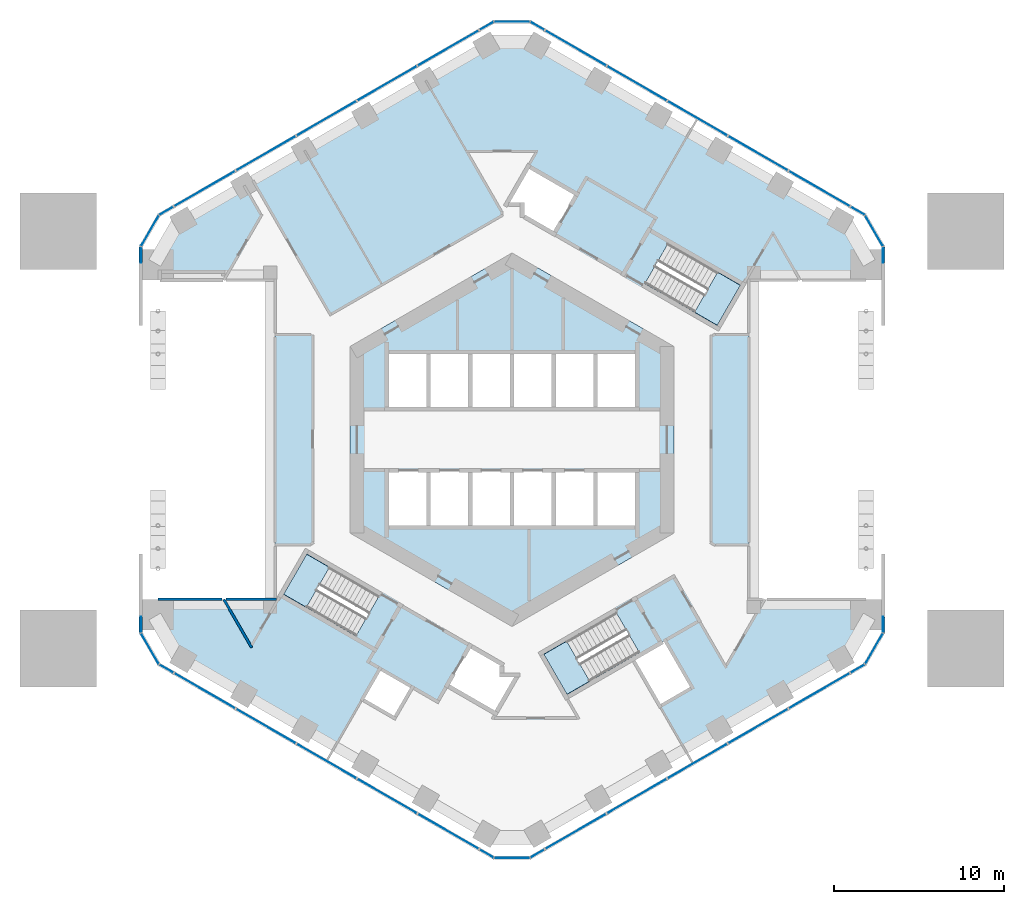
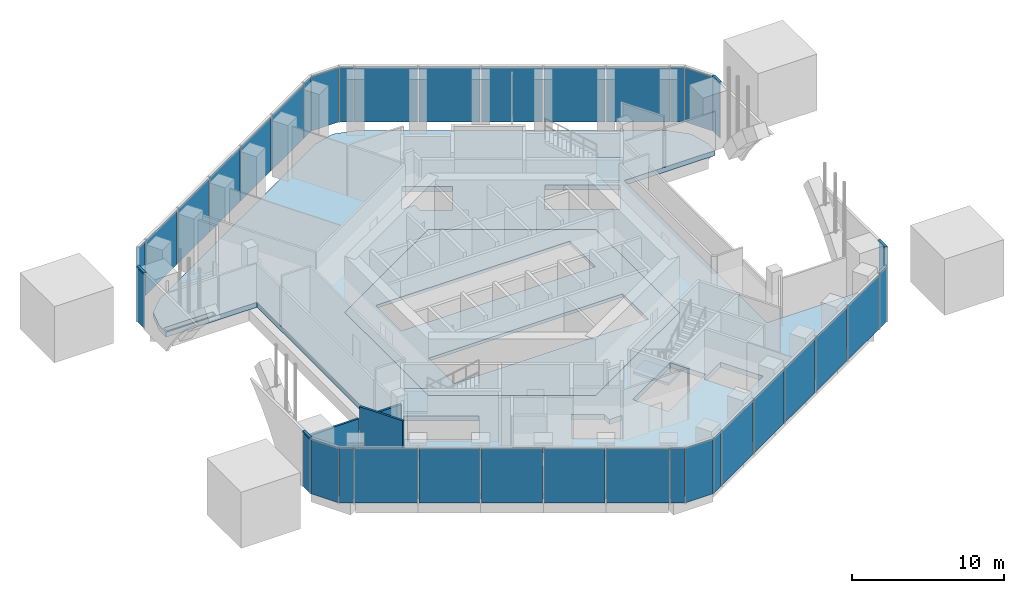
# One storey, part 8 of 14: 38 plates, 5 slabs, 4 members, 3 walls, 13 elements without a shape of their own.
"""IFC4 building model written with IfcOpenShell, lengths in metres."""

from ifc_helpers import new_model, si_unit, direction, frame, frame_2d, origin, origin_2d, place, context, subcontext, project, spatial, polyline, rectangle, outline, extrude, material, layer, layer_set, material_profile, profile_set, type_object, element, aggregate, save


model = new_model("IFC4")

# Units and contexts
model_context = context("Model", 3, precision=1e-05, world=origin(), true_north=direction((0.0, 1.0)))
body_context = subcontext(model_context, "Body", "Model", "MODEL_VIEW")
ifc_project = project(units=[si_unit("LENGTHUNIT", "METRE"), si_unit("AREAUNIT", "SQUARE_METRE"), si_unit("VOLUMEUNIT", "CUBIC_METRE"), si_unit("PLANEANGLEUNIT", "RADIAN"), si_unit("MASSUNIT", "GRAM", prefix="KILO")], contexts=[model_context])

# Site, building, storey
site_placement = place(None, origin())
site = spatial("IfcSite", under=ifc_project, at=site_placement, CompositionType="ELEMENT")
building_placement = place(site_placement, origin())
building = spatial("IfcBuilding", under=site, at=building_placement, Name="Ayvan Gate Tower", CompositionType="ELEMENT")
storey_placement = place(building_placement, frame((0.0, 0.0, 11.5)))
storey = spatial("IfcBuildingStorey", under=building, at=storey_placement, Name="L02", CompositionType="ELEMENT", Elevation=11.5)

# Curtain wall, member
ifc_material_1 = material(Name="Bronze anodised aluminium", Category="aluminium")
ifc_layer_1 = layer(ifc_material_1, 0.199951171875)
ifc_layer_set_1 = layer_set([ifc_layer_1], Name="Bronze anodised aluminium")
curtain_wall_type_1 = type_object("IfcCurtainWallType", Name="Stick curtain wall CW-6", PredefinedType="NOTDEFINED", material=ifc_layer_set_1)
curtain_wall_1_placement = place(storey_placement, origin())
curtain_wall_1 = element("IfcCurtainWall", 1, at=curtain_wall_1_placement, inside=storey, type_object=curtain_wall_type_1, Name="Stick curtain wall CW-6 L02", PredefinedType="NOTDEFINED")
ifc_material_profile = material_profile(ifc_material_1, rectangle(XDim=0.199951171875, YDim=0.1201171875, at=origin_2d()), Name="Stick curtain wall CW-6 transom 200 x 120")
ifc_profile_set = profile_set([ifc_material_profile], Name="Bronze anodised aluminium")
member_type = type_object("IfcMemberType", Name="Stick curtain wall CW-6 transom 200 x 120", PredefinedType="USERDEFINED", material=ifc_profile_set)
member_1_placement = place(storey_placement, frame((-21.78466796875, 11.32470703125, 4.43994140625), z_axis=(0.0, -1.0, 0.0), x_axis=(1.0, 0.0, 0.0)))
member_1 = element("IfcMember", 2, at=member_1_placement, type_object=member_type, Name="CW-6 transom 3", ObjectType="TRANSOM", PredefinedType="USERDEFINED", context=body_context, shape_type="SweptSolid", body=[
    extrude(rectangle(XDim=0.199951171875, YDim=0.1201171875, at=origin_2d()), origin(), (0.0, 0.0, 1.0), 0.925048828125),
])

curtain_wall_2_placement = place(storey_placement, origin())
curtain_wall_2 = element("IfcCurtainWall", 3, at=curtain_wall_2_placement, inside=storey, type_object=curtain_wall_type_1, Name="Stick curtain wall CW-6 L02", PredefinedType="NOTDEFINED")
member_2_placement = place(storey_placement, frame((-21.78466796875, -10.399658203125, 4.43994140625), z_axis=(0.0, -1.0, 0.0), x_axis=(1.0, 0.0, 0.0)))
member_2 = element("IfcMember", 4, at=member_2_placement, type_object=member_type, Name="CW-6 transom 1", ObjectType="TRANSOM", PredefinedType="USERDEFINED", context=body_context, shape_type="SweptSolid", body=[
    extrude(rectangle(XDim=0.199951171875, YDim=0.1201171875, at=origin_2d()), origin(), (0.0, 0.0, 1.0), 0.925048828125),
])

curtain_wall_3_placement = place(storey_placement, origin())
curtain_wall_3 = element("IfcCurtainWall", 5, at=curtain_wall_3_placement, inside=storey, type_object=curtain_wall_type_1, Name="Stick curtain wall CW-6 L02", PredefinedType="NOTDEFINED")
member_3_placement = place(storey_placement, frame((21.78466796875, -11.32470703125, 4.43994140625), z_axis=(0.0, 1.0, 0.0), x_axis=(-1.0, 0.0, 0.0)))
member_3 = element("IfcMember", 6, at=member_3_placement, type_object=member_type, Name="CW-6 transom 3", ObjectType="TRANSOM", PredefinedType="USERDEFINED", context=body_context, shape_type="SweptSolid", body=[
    extrude(rectangle(XDim=0.199951171875, YDim=0.1201171875, at=origin_2d()), origin(), (0.0, 0.0, 1.0), 0.925048828125),
])

curtain_wall_4_placement = place(storey_placement, origin())
curtain_wall_4 = element("IfcCurtainWall", 7, at=curtain_wall_4_placement, inside=storey, type_object=curtain_wall_type_1, Name="Stick curtain wall CW-6 L02", PredefinedType="NOTDEFINED")
member_4_placement = place(storey_placement, frame((21.78466796875, 10.399658203125, 4.43994140625), z_axis=(0.0, 1.0, 0.0), x_axis=(-1.0, 0.0, 0.0)))
member_4 = element("IfcMember", 8, at=member_4_placement, type_object=member_type, Name="CW-6 transom 1", ObjectType="TRANSOM", PredefinedType="USERDEFINED", context=body_context, shape_type="SweptSolid", body=[
    extrude(rectangle(XDim=0.199951171875, YDim=0.1201171875, at=origin_2d()), origin(), (0.0, 0.0, 1.0), 0.925048828125),
])

# Slabs
ifc_material_2 = material(Name="Concrete C40/50", Category="concrete")
ifc_layer_2 = layer(ifc_material_2, 0.39990234375)
ifc_layer_set_2 = layer_set([ifc_layer_2], Name="Concrete C40/50")
slab_type_1 = type_object("IfcSlabType", Name="Post-tensioned flat slab 400", PredefinedType="FLOOR", material=ifc_layer_set_2)
slab_1_placement = place(storey_placement, frame((0.0, 0.0, -0.39990234375)))
element("IfcSlab", 9, at=slab_1_placement, inside=storey, type_object=slab_type_1, Name="SL-L02", PredefinedType="FLOOR", context=body_context, shape_type="SweptSolid", body=[
    extrude(outline(polyline([(0.0, -23.535888671875), (-1.5, -23.134033203125), (-19.28466796875, -12.865966796875), (-20.382568359375, -11.76806640625), (-20.78466796875, -10.26806640625), (-20.78466796875, 0.0), (-20.78466796875, -9.367919921875), (-13.89990234375, -9.367919921875), (-13.89990234375, 9.367919921875), (-20.78466796875, 9.367919921875), (-20.78466796875, 10.26806640625), (-20.382568359375, 11.76806640625), (-19.28466796875, 12.865966796875), (-1.5, 23.134033203125), (0.0, 23.535888671875), (1.5, 23.134033203125), (19.28466796875, 12.865966796875), (20.382568359375, 11.76806640625), (20.78466796875, 10.26806640625), (20.78466796875, 9.367919921875), (13.89990234375, 9.367919921875), (13.89990234375, -9.367919921875), (20.78466796875, -9.367919921875), (20.78466796875, -10.26806640625), (20.382568359375, -11.76806640625), (19.28466796875, -12.865966796875), (1.5, -23.134033203125), (0.0, -23.535888671875)]), holes=[polyline([(7.80615234375, 9.170654296875), (12.049560546875, 6.720458984375), (13.404541015625, 9.0673828125), (9.1611328125, 11.517578125), (7.80615234375, 9.170654296875)]), polyline([(8.995361328125, -11.780517578125), (8.735595703125, -11.9306640625), (7.090087890625, -12.880615234375), (8.690185546875, -15.65185546875), (10.595458984375, -14.5517578125), (8.995361328125, -11.780517578125)]), polyline([(9.5, -5.48486328125), (9.5, 5.48486328125), (0.0, 10.9697265625), (-9.5, 5.48486328125), (-9.5, -5.48486328125), (0.0, -10.9697265625), (9.5, -5.48486328125)]), polyline([(6.117431640625, -10.1455078125), (1.873779296875, -12.595458984375), (3.228759765625, -14.9423828125), (7.472412109375, -12.492431640625), (6.117431640625, -10.1455078125)]), polyline([(0.964599609375, 16.07080078125), (-0.340576171875, 13.81005859375), (0.60009765625, 13.81005859375), (0.60009765625, 13.16357421875), (2.472412109375, 12.08251953125), (3.822509765625, 14.420654296875), (0.964599609375, 16.07080078125)]), polyline([(-0.60009765625, -13.16357421875), (-2.472412109375, -12.08251953125), (-3.822509765625, -14.420654296875), (-0.964599609375, -16.07080078125), (0.340576171875, -13.81005859375), (-0.60009765625, -13.81005859375), (-0.60009765625, -13.16357421875)]), polyline([(-6.894775390625, -16.342041015625), (-5.8447265625, -14.5234375), (-7.75, -13.42333984375), (-8.800048828125, -15.241943359375), (-6.894775390625, -16.342041015625)]), polyline([(-13.404541015625, -9.0673828125), (-9.1611328125, -11.517578125), (-7.80615234375, -9.170654296875), (-12.049560546875, -6.720458984375), (-13.404541015625, -9.0673828125)]), polyline([(-20.6845703125, 9.468017578125), (-16.948486328125, 9.468017578125), (-16.948486328125, 9.867919921875), (-20.6845703125, 9.867919921875), (-20.6845703125, 9.468017578125)])]), origin(), (0.0, 0.0, 1.0), 0.39990234375),
])
ifc_layer_3 = layer(ifc_material_2, 0.25)
ifc_layer_set_3 = layer_set([ifc_layer_3], Name="Concrete C40/50")
slab_type_2 = type_object("IfcSlabType", Name="SL-CORE-250", PredefinedType="FLOOR", material=ifc_layer_set_3)
slab_2_placement = place(storey_placement, frame((0.0, 0.0, -0.25)))
element("IfcSlab", 10, at=slab_2_placement, inside=storey, type_object=slab_type_2, Name="CS-L02", PredefinedType="FLOOR", context=body_context, shape_type="SweptSolid", body=[
    extrude(outline(polyline([(9.5, -5.48486328125), (0.0, -10.9697265625), (-9.5, -5.48486328125), (-9.5, 5.48486328125), (0.0, 10.9697265625), (9.5, 5.48486328125), (9.5, -5.48486328125)]), holes=[polyline([(-7.35009765625, -1.800048828125), (-7.35009765625, -5.14990234375), (7.35009765625, -5.14990234375), (7.35009765625, -1.800048828125), (-7.35009765625, -1.800048828125)]), polyline([(-7.35009765625, 5.14990234375), (-7.35009765625, 1.800048828125), (7.35009765625, 1.800048828125), (7.35009765625, 5.14990234375), (-7.35009765625, 5.14990234375)])]), origin(), (0.0, 0.0, 1.0), 0.25),
])

# Stair, slab
stair_type = type_object("IfcStairType", Name="ST-EXIT", PredefinedType="HALF_TURN_STAIR", material=ifc_material_2)
stair_1_placement = place(storey_placement, origin())
stair_1 = element("IfcStair", 11, at=stair_1_placement, inside=storey, type_object=stair_type, Name="L02 Exit Stair S1", PredefinedType="HALF_TURN_STAIR")
ifc_layer_4 = layer(ifc_material_2, 0.199951171875)
ifc_layer_set_4 = layer_set([ifc_layer_4], Name="Concrete C40/50")
slab_type_3 = type_object("IfcSlabType", Name="SL-LANDING-200", PredefinedType="LANDING", material=ifc_layer_set_4)
slab_3_placement = place(storey_placement, frame((0.0, 0.0, 2.050048828125)))
slab_3 = element("IfcSlab", 12, at=slab_3_placement, type_object=slab_type_3, Name="STS1 landing 1", PredefinedType="LANDING", context=body_context, shape_type="SweptSolid", body=[
    extrude(outline(polyline([(10.716064453125, 7.490478515625), (12.049560546875, 6.720458984375), (13.404541015625, 9.0673828125), (12.071044921875, 9.83740234375), (10.716064453125, 7.490478515625)])), origin(), (0.0, 0.0, 1.0), 0.199951171875),
])
aggregate(stair_1, [slab_3])

stair_2_placement = place(storey_placement, origin())
stair_2 = element("IfcStair", 13, at=stair_2_placement, inside=storey, type_object=stair_type, Name="L02 Exit Stair S2", PredefinedType="HALF_TURN_STAIR")
slab_4_placement = place(storey_placement, frame((0.0, 0.0, 2.050048828125)))
slab_4 = element("IfcSlab", 14, at=slab_4_placement, type_object=slab_type_3, Name="STS2 landing 1", PredefinedType="LANDING", context=body_context, shape_type="SweptSolid", body=[
    extrude(outline(polyline([(-10.716064453125, -7.490478515625), (-12.049560546875, -6.720458984375), (-13.404541015625, -9.0673828125), (-12.071044921875, -9.83740234375), (-10.716064453125, -7.490478515625)])), origin(), (0.0, 0.0, 1.0), 0.199951171875),
])
aggregate(stair_2, [slab_4])

stair_3_placement = place(storey_placement, origin())
stair_3 = element("IfcStair", 15, at=stair_3_placement, inside=storey, type_object=stair_type, Name="L02 Exit Stair S3", PredefinedType="HALF_TURN_STAIR")
slab_5_placement = place(storey_placement, frame((0.0, 0.0, 2.050048828125)))
slab_5 = element("IfcSlab", 16, at=slab_5_placement, type_object=slab_type_3, Name="STS3 landing 1", PredefinedType="LANDING", context=body_context, shape_type="SweptSolid", body=[
    extrude(outline(polyline([(3.20751953125, -11.82568359375), (1.873779296875, -12.595458984375), (3.228759765625, -14.9423828125), (4.5625, -14.172607421875), (3.20751953125, -11.82568359375)])), origin(), (0.0, 0.0, 1.0), 0.199951171875),
])
aggregate(stair_3, [slab_5])

# Curtain wall, plates
ifc_layer_5 = layer(ifc_material_1, 0.199951171875)
ifc_layer_set_5 = layer_set([ifc_layer_5], Name="Bronze anodised aluminium")
curtain_wall_type_2 = type_object("IfcCurtainWallType", Name="Stick curtain wall CW-3", PredefinedType="NOTDEFINED", material=ifc_layer_set_5)
curtain_wall_5_placement = place(storey_placement, origin())
curtain_wall_5 = element("IfcCurtainWall", 17, at=curtain_wall_5_placement, inside=storey, type_object=curtain_wall_type_2, Name="Stick curtain wall CW-3 L02", PredefinedType="NOTDEFINED")
ifc_material_3 = material(Name="Clear low-iron laminated glass", Category="glass")
ifc_layer_6 = layer(ifc_material_3, 0.028076171875)
ifc_layer_set_6 = layer_set([ifc_layer_6], Name="Clear low-iron laminated glass")
plate_type_1 = type_object("IfcPlateType", Name="Stick curtain wall CW-3 glass panel", PredefinedType="CURTAIN_PANEL", material=ifc_layer_set_6)
plate_1_placement = place(storey_placement, frame((-3.721435546875, 23.006103515625, 0.0), z_axis=(0.0, 0.0, 1.0), x_axis=(-0.866025403784, -0.5, 0.0)))
plate_1 = element("IfcPlate", 18, at=plate_1_placement, type_object=plate_type_1, Name="CW-3 glass panel 1", PredefinedType="CURTAIN_PANEL", context=body_context, shape_type="SweptSolid", body=[
    extrude(rectangle(XDim=4.138916015625, YDim=0.028076171875, at=origin_2d()), origin(), (0.0, 0.0, 1.0), 4.340087890625),
])
plate_2_placement = place(storey_placement, frame((-7.33544921875, 20.919677734375, 0.0), z_axis=(0.0, 0.0, 1.0), x_axis=(-0.866025403784, -0.5, 0.0)))
plate_2 = element("IfcPlate", 19, at=plate_2_placement, type_object=plate_type_1, Name="CW-3 glass panel 2", PredefinedType="CURTAIN_PANEL", context=body_context, shape_type="SweptSolid", body=[
    extrude(rectangle(XDim=4.007080078125, YDim=0.028076171875, at=origin_2d()), origin(), (0.0, 0.0, 1.0), 4.340087890625),
])
plate_3_placement = place(storey_placement, frame((-10.892333984375, 18.865966796875, 0.0), z_axis=(0.0, 0.0, 1.0), x_axis=(-0.866025403784, -0.5, 0.0)))
plate_3 = element("IfcPlate", 20, at=plate_3_placement, type_object=plate_type_1, Name="CW-3 glass panel 3", PredefinedType="CURTAIN_PANEL", context=body_context, shape_type="SweptSolid", body=[
    extrude(rectangle(XDim=4.007080078125, YDim=0.028076171875, at=origin_2d()), origin(), (0.0, 0.0, 1.0), 4.340087890625),
])
plate_4_placement = place(storey_placement, frame((-14.448974609375, 16.8125, 0.0), z_axis=(0.0, 0.0, 1.0), x_axis=(-0.866025403784, -0.5, 0.0)))
plate_4 = element("IfcPlate", 21, at=plate_4_placement, type_object=plate_type_1, Name="CW-3 glass panel 4", PredefinedType="CURTAIN_PANEL", context=body_context, shape_type="SweptSolid", body=[
    extrude(rectangle(XDim=4.007080078125, YDim=0.028076171875, at=origin_2d()), origin(), (0.0, 0.0, 1.0), 4.340087890625),
])
plate_5_placement = place(storey_placement, frame((-18.06298828125, 14.72607421875, 0.0), z_axis=(0.0, 0.0, 1.0), x_axis=(-0.866025403784, -0.5, 0.0)))
plate_5 = element("IfcPlate", 22, at=plate_5_placement, type_object=plate_type_1, Name="CW-3 glass panel 5", PredefinedType="CURTAIN_PANEL", context=body_context, shape_type="SweptSolid", body=[
    extrude(rectangle(XDim=4.13916015625, YDim=0.028076171875, at=origin_2d()), origin(), (0.0, 0.0, 1.0), 4.340087890625),
])
aggregate(curtain_wall_5, [plate_1, plate_2, plate_3, plate_4, plate_5])

curtain_wall_6_placement = place(storey_placement, origin())
curtain_wall_6 = element("IfcCurtainWall", 23, at=curtain_wall_6_placement, inside=storey, type_object=curtain_wall_type_2, Name="Stick curtain wall CW-3 L02", PredefinedType="NOTDEFINED")
plate_6_placement = place(storey_placement, frame((-18.06298828125, -14.72607421875, 0.0), z_axis=(0.0, 0.0, 1.0), x_axis=(0.866025403784, -0.5, 0.0)))
plate_6 = element("IfcPlate", 24, at=plate_6_placement, type_object=plate_type_1, Name="CW-3 glass panel 1", PredefinedType="CURTAIN_PANEL", context=body_context, shape_type="SweptSolid", body=[
    extrude(rectangle(XDim=4.138916015625, YDim=0.028076171875, at=origin_2d()), origin(), (0.0, 0.0, 1.0), 4.340087890625),
])
plate_7_placement = place(storey_placement, frame((-14.44921875, -16.8125, 0.0), z_axis=(0.0, 0.0, 1.0), x_axis=(0.866025403784, -0.5, 0.0)))
plate_7 = element("IfcPlate", 25, at=plate_7_placement, type_object=plate_type_1, Name="CW-3 glass panel 2", PredefinedType="CURTAIN_PANEL", context=body_context, shape_type="SweptSolid", body=[
    extrude(rectangle(XDim=4.007080078125, YDim=0.028076171875, at=origin_2d()), origin(), (0.0, 0.0, 1.0), 4.340087890625),
])
plate_8_placement = place(storey_placement, frame((-10.892333984375, -18.865966796875, 0.0), z_axis=(0.0, 0.0, 1.0), x_axis=(0.866025403784, -0.5, 0.0)))
plate_8 = element("IfcPlate", 26, at=plate_8_placement, type_object=plate_type_1, Name="CW-3 glass panel 3", PredefinedType="CURTAIN_PANEL", context=body_context, shape_type="SweptSolid", body=[
    extrude(rectangle(XDim=4.007080078125, YDim=0.028076171875, at=origin_2d()), origin(), (0.0, 0.0, 1.0), 4.340087890625),
])
plate_9_placement = place(storey_placement, frame((-7.335693359375, -20.91943359375, 0.0), z_axis=(0.0, 0.0, 1.0), x_axis=(0.866025403784, -0.5, 0.0)))
plate_9 = element("IfcPlate", 27, at=plate_9_placement, type_object=plate_type_1, Name="CW-3 glass panel 4", PredefinedType="CURTAIN_PANEL", context=body_context, shape_type="SweptSolid", body=[
    extrude(rectangle(XDim=4.007080078125, YDim=0.028076171875, at=origin_2d()), origin(), (0.0, 0.0, 1.0), 4.340087890625),
])
plate_10_placement = place(storey_placement, frame((-3.7216796875, -23.006103515625, 0.0), z_axis=(0.0, 0.0, 1.0), x_axis=(0.866025403784, -0.5, 0.0)))
plate_10 = element("IfcPlate", 28, at=plate_10_placement, type_object=plate_type_1, Name="CW-3 glass panel 5", PredefinedType="CURTAIN_PANEL", context=body_context, shape_type="SweptSolid", body=[
    extrude(rectangle(XDim=4.13916015625, YDim=0.028076171875, at=origin_2d()), origin(), (0.0, 0.0, 1.0), 4.340087890625),
])
aggregate(curtain_wall_6, [plate_6, plate_7, plate_8, plate_9, plate_10])

curtain_wall_7_placement = place(storey_placement, origin())
curtain_wall_7 = element("IfcCurtainWall", 29, at=curtain_wall_7_placement, inside=storey, type_object=curtain_wall_type_2, Name="Stick curtain wall CW-3 L02", PredefinedType="NOTDEFINED")
plate_11_placement = place(storey_placement, frame((3.721435546875, -23.006103515625, 0.0), z_axis=(0.0, 0.0, 1.0), x_axis=(0.866025403784, 0.5, 0.0)))
plate_11 = element("IfcPlate", 30, at=plate_11_placement, type_object=plate_type_1, Name="CW-3 glass panel 1", PredefinedType="CURTAIN_PANEL", context=body_context, shape_type="SweptSolid", body=[
    extrude(rectangle(XDim=4.138916015625, YDim=0.028076171875, at=origin_2d()), origin(), (0.0, 0.0, 1.0), 4.340087890625),
])
plate_12_placement = place(storey_placement, frame((7.33544921875, -20.919677734375, 0.0), z_axis=(0.0, 0.0, 1.0), x_axis=(0.866025403784, 0.5, 0.0)))
plate_12 = element("IfcPlate", 31, at=plate_12_placement, type_object=plate_type_1, Name="CW-3 glass panel 2", PredefinedType="CURTAIN_PANEL", context=body_context, shape_type="SweptSolid", body=[
    extrude(rectangle(XDim=4.007080078125, YDim=0.028076171875, at=origin_2d()), origin(), (0.0, 0.0, 1.0), 4.340087890625),
])
plate_13_placement = place(storey_placement, frame((10.892333984375, -18.865966796875, 0.0), z_axis=(0.0, 0.0, 1.0), x_axis=(0.866025403784, 0.5, 0.0)))
plate_13 = element("IfcPlate", 32, at=plate_13_placement, type_object=plate_type_1, Name="CW-3 glass panel 3", PredefinedType="CURTAIN_PANEL", context=body_context, shape_type="SweptSolid", body=[
    extrude(rectangle(XDim=4.007080078125, YDim=0.028076171875, at=origin_2d()), origin(), (0.0, 0.0, 1.0), 4.340087890625),
])
plate_14_placement = place(storey_placement, frame((14.448974609375, -16.8125, 0.0), z_axis=(0.0, 0.0, 1.0), x_axis=(0.866025403784, 0.5, 0.0)))
plate_14 = element("IfcPlate", 33, at=plate_14_placement, type_object=plate_type_1, Name="CW-3 glass panel 4", PredefinedType="CURTAIN_PANEL", context=body_context, shape_type="SweptSolid", body=[
    extrude(rectangle(XDim=4.007080078125, YDim=0.028076171875, at=origin_2d()), origin(), (0.0, 0.0, 1.0), 4.340087890625),
])
plate_15_placement = place(storey_placement, frame((18.06298828125, -14.72607421875, 0.0), z_axis=(0.0, 0.0, 1.0), x_axis=(0.866025403784, 0.5, 0.0)))
plate_15 = element("IfcPlate", 34, at=plate_15_placement, type_object=plate_type_1, Name="CW-3 glass panel 5", PredefinedType="CURTAIN_PANEL", context=body_context, shape_type="SweptSolid", body=[
    extrude(rectangle(XDim=4.13916015625, YDim=0.028076171875, at=origin_2d()), origin(), (0.0, 0.0, 1.0), 4.340087890625),
])
aggregate(curtain_wall_7, [plate_11, plate_12, plate_13, plate_14, plate_15])

curtain_wall_8_placement = place(storey_placement, origin())
curtain_wall_8 = element("IfcCurtainWall", 35, at=curtain_wall_8_placement, inside=storey, type_object=curtain_wall_type_2, Name="Stick curtain wall CW-3 L02", PredefinedType="NOTDEFINED")
plate_16_placement = place(storey_placement, frame((18.06298828125, 14.72607421875, 0.0), z_axis=(0.0, 0.0, 1.0), x_axis=(-0.866025403784, 0.5, 0.0)))
plate_16 = element("IfcPlate", 36, at=plate_16_placement, type_object=plate_type_1, Name="CW-3 glass panel 1", PredefinedType="CURTAIN_PANEL", context=body_context, shape_type="SweptSolid", body=[
    extrude(rectangle(XDim=4.138916015625, YDim=0.028076171875, at=origin_2d()), origin(), (0.0, 0.0, 1.0), 4.340087890625),
])
plate_17_placement = place(storey_placement, frame((14.44921875, 16.8125, 0.0), z_axis=(0.0, 0.0, 1.0), x_axis=(-0.866025403784, 0.5, 0.0)))
plate_17 = element("IfcPlate", 37, at=plate_17_placement, type_object=plate_type_1, Name="CW-3 glass panel 2", PredefinedType="CURTAIN_PANEL", context=body_context, shape_type="SweptSolid", body=[
    extrude(rectangle(XDim=4.007080078125, YDim=0.028076171875, at=origin_2d()), origin(), (0.0, 0.0, 1.0), 4.340087890625),
])
plate_18_placement = place(storey_placement, frame((10.892333984375, 18.865966796875, 0.0), z_axis=(0.0, 0.0, 1.0), x_axis=(-0.866025403784, 0.5, 0.0)))
plate_18 = element("IfcPlate", 38, at=plate_18_placement, type_object=plate_type_1, Name="CW-3 glass panel 3", PredefinedType="CURTAIN_PANEL", context=body_context, shape_type="SweptSolid", body=[
    extrude(rectangle(XDim=4.007080078125, YDim=0.028076171875, at=origin_2d()), origin(), (0.0, 0.0, 1.0), 4.340087890625),
])
plate_19_placement = place(storey_placement, frame((7.335693359375, 20.91943359375, 0.0), z_axis=(0.0, 0.0, 1.0), x_axis=(-0.866025403784, 0.5, 0.0)))
plate_19 = element("IfcPlate", 39, at=plate_19_placement, type_object=plate_type_1, Name="CW-3 glass panel 4", PredefinedType="CURTAIN_PANEL", context=body_context, shape_type="SweptSolid", body=[
    extrude(rectangle(XDim=4.007080078125, YDim=0.028076171875, at=origin_2d()), origin(), (0.0, 0.0, 1.0), 4.340087890625),
])
plate_20_placement = place(storey_placement, frame((3.7216796875, 23.006103515625, 0.0), z_axis=(0.0, 0.0, 1.0), x_axis=(-0.866025403784, 0.5, 0.0)))
plate_20 = element("IfcPlate", 40, at=plate_20_placement, type_object=plate_type_1, Name="CW-3 glass panel 5", PredefinedType="CURTAIN_PANEL", context=body_context, shape_type="SweptSolid", body=[
    extrude(rectangle(XDim=4.13916015625, YDim=0.028076171875, at=origin_2d()), origin(), (0.0, 0.0, 1.0), 4.340087890625),
])
aggregate(curtain_wall_8, [plate_16, plate_17, plate_18, plate_19, plate_20])

# Plate
ifc_layer_7 = layer(ifc_material_3, 0.028076171875)
ifc_layer_set_7 = layer_set([ifc_layer_7], Name="Clear low-iron laminated glass")
plate_type_2 = type_object("IfcPlateType", Name="Stick curtain wall CW-6 glass panel", PredefinedType="CURTAIN_PANEL", material=ifc_layer_set_7)
plate_21_placement = place(storey_placement, frame((-20.299072265625, 13.43505859375, 0.0), z_axis=(0.0, 0.0, 1.0), x_axis=(-0.866025403784, -0.5, 0.0)))
plate_21 = element("IfcPlate", 41, at=plate_21_placement, type_object=plate_type_2, Name="CW-6 glass panel 1", PredefinedType="CURTAIN_PANEL", context=body_context, shape_type="SweptSolid", body=[
    extrude(rectangle(XDim=0.925048828125, YDim=0.028076171875, at=origin_2d()), origin(), (0.0, 0.0, 1.0), 4.3798828125),
])

plate_22_placement = place(storey_placement, frame((-21.2529296875, 12.2705078125, 0.0), z_axis=(0.0, 0.0, 1.0), x_axis=(-0.5, -0.866025403784, 0.0)))
plate_22 = element("IfcPlate", 42, at=plate_22_placement, type_object=plate_type_2, Name="CW-6 glass panel 2", PredefinedType="CURTAIN_PANEL", context=body_context, shape_type="SweptSolid", body=[
    extrude(rectangle(XDim=2.076416015625, YDim=0.028076171875, at=origin_2d()), origin(), (0.0, 0.0, 1.0), 4.3798828125),
])

plate_23_placement = place(storey_placement, frame((-21.78466796875, 10.862060546875, 0.0), z_axis=(0.0, 0.0, 1.0), x_axis=(0.0, -1.0, 0.0)))
plate_23 = element("IfcPlate", 43, at=plate_23_placement, type_object=plate_type_2, Name="CW-6 glass panel 3", PredefinedType="CURTAIN_PANEL", context=body_context, shape_type="SweptSolid", body=[
    extrude(rectangle(XDim=0.925048828125, YDim=0.028076171875, at=origin_2d()), origin(), (0.0, 0.0, 1.0), 4.3798828125),
])

aggregate(curtain_wall_1, [member_1, plate_21, plate_22, plate_23])

plate_24_placement = place(storey_placement, frame((-21.78466796875, -10.862060546875, 0.0), z_axis=(0.0, 0.0, 1.0), x_axis=(0.0, -1.0, 0.0)))
plate_24 = element("IfcPlate", 44, at=plate_24_placement, type_object=plate_type_2, Name="CW-6 glass panel 1", PredefinedType="CURTAIN_PANEL", context=body_context, shape_type="SweptSolid", body=[
    extrude(rectangle(XDim=0.925048828125, YDim=0.028076171875, at=origin_2d()), origin(), (0.0, 0.0, 1.0), 4.3798828125),
])

plate_25_placement = place(storey_placement, frame((-21.2529296875, -12.2705078125, 0.0), z_axis=(0.0, 0.0, 1.0), x_axis=(0.5, -0.866025403784, 0.0)))
plate_25 = element("IfcPlate", 45, at=plate_25_placement, type_object=plate_type_2, Name="CW-6 glass panel 2", PredefinedType="CURTAIN_PANEL", context=body_context, shape_type="SweptSolid", body=[
    extrude(rectangle(XDim=2.076416015625, YDim=0.028076171875, at=origin_2d()), origin(), (0.0, 0.0, 1.0), 4.3798828125),
])

plate_26_placement = place(storey_placement, frame((-20.299072265625, -13.43505859375, 0.0), z_axis=(0.0, 0.0, 1.0), x_axis=(0.866025403784, -0.5, 0.0)))
plate_26 = element("IfcPlate", 46, at=plate_26_placement, type_object=plate_type_2, Name="CW-6 glass panel 3", PredefinedType="CURTAIN_PANEL", context=body_context, shape_type="SweptSolid", body=[
    extrude(rectangle(XDim=0.925048828125, YDim=0.028076171875, at=origin_2d()), origin(), (0.0, 0.0, 1.0), 4.3798828125),
])

aggregate(curtain_wall_2, [member_2, plate_24, plate_25, plate_26])

# Curtain wall, plates
curtain_wall_9_placement = place(storey_placement, origin())
curtain_wall_9 = element("IfcCurtainWall", 47, at=curtain_wall_9_placement, inside=storey, type_object=curtain_wall_type_1, Name="Stick curtain wall CW-6 L02", PredefinedType="NOTDEFINED")
plate_27_placement = place(storey_placement, frame((-1.4853515625, -24.297119140625, 0.0), z_axis=(0.0, 0.0, 1.0), x_axis=(0.866025403784, -0.5, 0.0)))
plate_27 = element("IfcPlate", 48, at=plate_27_placement, type_object=plate_type_2, Name="CW-6 glass panel 1", PredefinedType="CURTAIN_PANEL", context=body_context, shape_type="SweptSolid", body=[
    extrude(rectangle(XDim=0.925048828125, YDim=0.028076171875, at=origin_2d()), origin(), (0.0, 0.0, 1.0), 4.3798828125),
])
plate_28_placement = place(storey_placement, frame((0.0, -24.540771484375, 0.0), z_axis=(0.0, 0.0, 1.0), x_axis=(1.0, 0.0, 0.0)))
plate_28 = element("IfcPlate", 49, at=plate_28_placement, type_object=plate_type_2, Name="CW-6 glass panel 2", PredefinedType="CURTAIN_PANEL", context=body_context, shape_type="SweptSolid", body=[
    extrude(rectangle(XDim=2.076416015625, YDim=0.028076171875, at=origin_2d()), origin(), (0.0, 0.0, 1.0), 4.3798828125),
])
plate_29_placement = place(storey_placement, frame((1.4853515625, -24.297119140625, 0.0), z_axis=(0.0, 0.0, 1.0), x_axis=(0.866025403784, 0.5, 0.0)))
plate_29 = element("IfcPlate", 50, at=plate_29_placement, type_object=plate_type_2, Name="CW-6 glass panel 3", PredefinedType="CURTAIN_PANEL", context=body_context, shape_type="SweptSolid", body=[
    extrude(rectangle(XDim=0.925048828125, YDim=0.028076171875, at=origin_2d()), origin(), (0.0, 0.0, 1.0), 4.3798828125),
])
aggregate(curtain_wall_9, [plate_27, plate_28, plate_29])

# Plate
plate_30_placement = place(storey_placement, frame((20.299072265625, -13.43505859375, 0.0), z_axis=(0.0, 0.0, 1.0), x_axis=(0.866025403784, 0.5, 0.0)))
plate_30 = element("IfcPlate", 51, at=plate_30_placement, type_object=plate_type_2, Name="CW-6 glass panel 1", PredefinedType="CURTAIN_PANEL", context=body_context, shape_type="SweptSolid", body=[
    extrude(rectangle(XDim=0.925048828125, YDim=0.028076171875, at=origin_2d()), origin(), (0.0, 0.0, 1.0), 4.3798828125),
])

plate_31_placement = place(storey_placement, frame((21.2529296875, -12.2705078125, 0.0), z_axis=(0.0, 0.0, 1.0), x_axis=(0.5, 0.866025403784, 0.0)))
plate_31 = element("IfcPlate", 52, at=plate_31_placement, type_object=plate_type_2, Name="CW-6 glass panel 2", PredefinedType="CURTAIN_PANEL", context=body_context, shape_type="SweptSolid", body=[
    extrude(rectangle(XDim=2.076416015625, YDim=0.028076171875, at=origin_2d()), origin(), (0.0, 0.0, 1.0), 4.3798828125),
])

plate_32_placement = place(storey_placement, frame((21.78466796875, -10.862060546875, 0.0), z_axis=(0.0, 0.0, 1.0), x_axis=(0.0, 1.0, 0.0)))
plate_32 = element("IfcPlate", 53, at=plate_32_placement, type_object=plate_type_2, Name="CW-6 glass panel 3", PredefinedType="CURTAIN_PANEL", context=body_context, shape_type="SweptSolid", body=[
    extrude(rectangle(XDim=0.925048828125, YDim=0.028076171875, at=origin_2d()), origin(), (0.0, 0.0, 1.0), 4.3798828125),
])

aggregate(curtain_wall_3, [member_3, plate_30, plate_31, plate_32])

plate_33_placement = place(storey_placement, frame((21.78466796875, 10.862060546875, 0.0), z_axis=(0.0, 0.0, 1.0), x_axis=(0.0, 1.0, 0.0)))
plate_33 = element("IfcPlate", 54, at=plate_33_placement, type_object=plate_type_2, Name="CW-6 glass panel 1", PredefinedType="CURTAIN_PANEL", context=body_context, shape_type="SweptSolid", body=[
    extrude(rectangle(XDim=0.925048828125, YDim=0.028076171875, at=origin_2d()), origin(), (0.0, 0.0, 1.0), 4.3798828125),
])

plate_34_placement = place(storey_placement, frame((21.2529296875, 12.2705078125, 0.0), z_axis=(0.0, 0.0, 1.0), x_axis=(-0.5, 0.866025403784, 0.0)))
plate_34 = element("IfcPlate", 55, at=plate_34_placement, type_object=plate_type_2, Name="CW-6 glass panel 2", PredefinedType="CURTAIN_PANEL", context=body_context, shape_type="SweptSolid", body=[
    extrude(rectangle(XDim=2.076416015625, YDim=0.028076171875, at=origin_2d()), origin(), (0.0, 0.0, 1.0), 4.3798828125),
])

plate_35_placement = place(storey_placement, frame((20.299072265625, 13.43505859375, 0.0), z_axis=(0.0, 0.0, 1.0), x_axis=(-0.866025403784, 0.5, 0.0)))
plate_35 = element("IfcPlate", 56, at=plate_35_placement, type_object=plate_type_2, Name="CW-6 glass panel 3", PredefinedType="CURTAIN_PANEL", context=body_context, shape_type="SweptSolid", body=[
    extrude(rectangle(XDim=0.925048828125, YDim=0.028076171875, at=origin_2d()), origin(), (0.0, 0.0, 1.0), 4.3798828125),
])

aggregate(curtain_wall_4, [member_4, plate_33, plate_34, plate_35])

# Curtain wall, plates
curtain_wall_10_placement = place(storey_placement, origin())
curtain_wall_10 = element("IfcCurtainWall", 57, at=curtain_wall_10_placement, inside=storey, type_object=curtain_wall_type_1, Name="Stick curtain wall CW-6 L02", PredefinedType="NOTDEFINED")
plate_36_placement = place(storey_placement, frame((1.4853515625, 24.297119140625, 0.0), z_axis=(0.0, 0.0, 1.0), x_axis=(-0.866025403784, 0.5, 0.0)))
plate_36 = element("IfcPlate", 58, at=plate_36_placement, type_object=plate_type_2, Name="CW-6 glass panel 1", PredefinedType="CURTAIN_PANEL", context=body_context, shape_type="SweptSolid", body=[
    extrude(rectangle(XDim=0.925048828125, YDim=0.028076171875, at=origin_2d()), origin(), (0.0, 0.0, 1.0), 4.3798828125),
])
plate_37_placement = place(storey_placement, frame((0.0, 24.540771484375, 0.0), z_axis=(0.0, 0.0, 1.0), x_axis=(-1.0, 0.0, 0.0)))
plate_37 = element("IfcPlate", 59, at=plate_37_placement, type_object=plate_type_2, Name="CW-6 glass panel 2", PredefinedType="CURTAIN_PANEL", context=body_context, shape_type="SweptSolid", body=[
    extrude(rectangle(XDim=2.076416015625, YDim=0.028076171875, at=origin_2d()), origin(), (0.0, 0.0, 1.0), 4.3798828125),
])
plate_38_placement = place(storey_placement, frame((-1.4853515625, 24.297119140625, 0.0), z_axis=(0.0, 0.0, 1.0), x_axis=(-0.866025403784, -0.5, 0.0)))
plate_38 = element("IfcPlate", 60, at=plate_38_placement, type_object=plate_type_2, Name="CW-6 glass panel 3", PredefinedType="CURTAIN_PANEL", context=body_context, shape_type="SweptSolid", body=[
    extrude(rectangle(XDim=0.925048828125, YDim=0.028076171875, at=origin_2d()), origin(), (0.0, 0.0, 1.0), 4.3798828125),
])
aggregate(curtain_wall_10, [plate_36, plate_37, plate_38])

# Walls
ifc_material_4 = material(Name="Plasterboard on steel stud", Category="steel")
ifc_layer_8 = layer(ifc_material_4, 0.14990234375)
ifc_layer_set_8 = layer_set([ifc_layer_8], Name="Plasterboard on steel stud")
wall_type = type_object("IfcWallType", Name="WT-CORR-150", PredefinedType="PARTITIONING", material=ifc_layer_set_8)
wall_1_placement = place(storey_placement, frame((-20.78466796875, -9.367919921875, 0.0), z_axis=(0.0, 0.0, 1.0), x_axis=(1.0, 0.0, 0.0)))
element("IfcWall", 61, at=wall_1_placement, inside=storey, type_object=wall_type, Name="IW-L02-000", PredefinedType="PARTITIONING", context=body_context, shape_type="SweptSolid", body=[
    extrude(rectangle(XDim=3.74609375, YDim=0.14990234375, at=frame_2d((1.873046875, 0.0))), origin(), (0.0, 0.0, 1.0), 3.175048828125),
])
wall_2_placement = place(storey_placement, frame((-16.780029296875, -9.367919921875, 0.0), z_axis=(0.0, 0.0, 1.0), x_axis=(1.0, 0.0, 0.0)))
element("IfcWall", 62, at=wall_2_placement, inside=storey, type_object=wall_type, Name="IW-L02-006", PredefinedType="PARTITIONING", context=body_context, shape_type="SweptSolid", body=[
    extrude(rectangle(XDim=2.955078125, YDim=0.14990234375, at=frame_2d((1.4775390625, 0.0))), origin(), (0.0, 0.0, 1.0), 3.175048828125),
])
wall_3_placement = place(storey_placement, frame((-15.282958984375, -12.200927734375, 0.0), z_axis=(0.0, 0.0, 1.0), x_axis=(-0.500023926868, 0.86601158916, 0.0)))
element("IfcWall", 63, at=wall_3_placement, inside=storey, type_object=wall_type, Name="IW-L02-007", PredefinedType="PARTITIONING", context=body_context, shape_type="SweptSolid", body=[
    extrude(rectangle(XDim=3.271240234375, YDim=0.14990234375, at=frame_2d((1.6357421875, 0.0))), origin(), (0.0, 0.0, 1.0), 4.10009765625),
])

save(model, "model.ifc")
